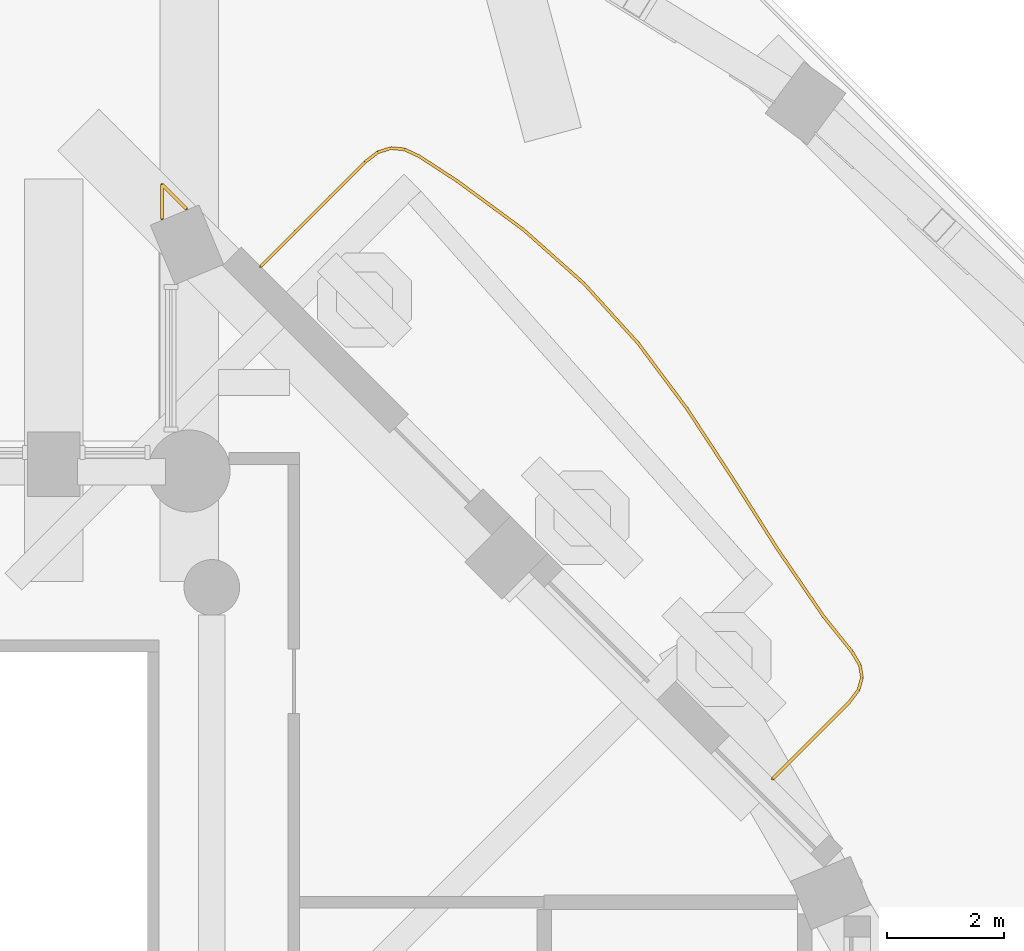
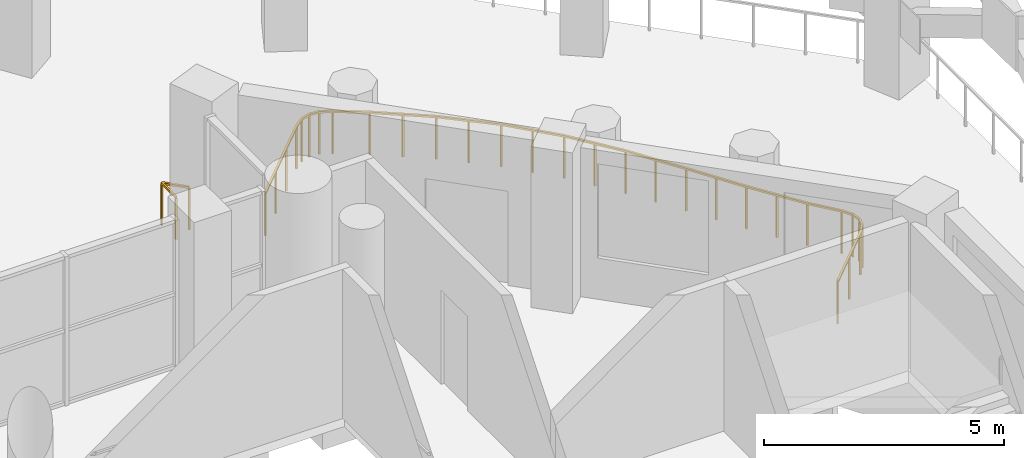
# One storey, part 17 of 18: 2 railings.
"""IFC4 building model written with IfcOpenShell, lengths in metres."""

from ifc_helpers import new_model, si_unit, direction, frame, origin, origin_2d, place, context, subcontext, project, spatial, rectangle, extrude, material, type_object, element, save


model = new_model("IFC4")

# Units and contexts
model_context = context("Model", 3, precision=1e-05, world=origin(), true_north=direction((0.0, 1.0)))
body_context = subcontext(model_context, "Body", "Model", "MODEL_VIEW")
ifc_project = project(units=[si_unit("LENGTHUNIT", "METRE"), si_unit("AREAUNIT", "SQUARE_METRE"), si_unit("VOLUMEUNIT", "CUBIC_METRE"), si_unit("PLANEANGLEUNIT", "RADIAN"), si_unit("MASSUNIT", "GRAM", prefix="KILO")], contexts=[model_context])

# Site, building, storey
site_placement = place(None, origin())
site = spatial("IfcSite", under=ifc_project, at=site_placement, CompositionType="ELEMENT")
building_placement = place(site_placement, origin())
building = spatial("IfcBuilding", under=site, at=building_placement, Name="Cypress Arch Tower", CompositionType="ELEMENT")
storey_placement = place(building_placement, frame((0.0, 0.0, 160.5)))
storey = spatial("IfcBuildingStorey", under=building, at=storey_placement, Name="L34", CompositionType="ELEMENT", Elevation=160.5)

# Railings
ifc_material_1 = material(Name="Powder-coated steel posts and rods, 100 mm clear between rods", Category="steel")
railing_type_1 = type_object("IfcRailingType", Name="Balcony guard GR1100", PredefinedType="GUARDRAIL", material=ifc_material_1)
railing_1_placement = place(storey_placement, frame((9.83251953125, 15.479736328125, 0.0)))
element("IfcRailing", 1, at=railing_1_placement, inside=storey, type_object=railing_type_1, Name="Balcony guard L34-B05", PredefinedType="GUARDRAIL", context=body_context, shape_type="SweptSolid", body=[
    extrude(rectangle(XDim=0.050048828125, YDim=0.050048828125, at=origin_2d()), frame((0.0, 0.0, 1.0751953125), z_axis=(0.707106781187, 0.707106781187, 0.0), x_axis=(-0.707106781187, 0.707106781187, 0.0)), (0.0, 0.0, 1.0), 2.5224609375),
    extrude(rectangle(XDim=0.050048828125, YDim=0.050048828125, at=origin_2d()), frame((1.78369140625, 1.78369140625, 1.0751953125), z_axis=(0.795653667895, 0.605751797988, 0.0), x_axis=(-0.605751797988, 0.795653667895, 0.0)), (0.0, 0.0, 1.0), 0.277587890625),
    extrude(rectangle(XDim=0.050048828125, YDim=0.050048828125, at=origin_2d()), frame((2.004638671875, 1.951904296875, 1.0751953125), z_axis=(0.953976637056, 0.299880936292, 0.0), x_axis=(-0.299880936292, 0.953976637056, 0.0)), (0.0, 0.0, 1.0), 0.233642578125),
    extrude(rectangle(XDim=0.050048828125, YDim=0.050048828125, at=origin_2d()), frame((2.2275390625, 2.02197265625, 1.0751953125), z_axis=(0.995372598201, -0.096090534139, 0.0), x_axis=(0.096090534139, 0.995372598201, 0.0)), (0.0, 0.0, 1.0), 0.233642578125),
    extrude(rectangle(XDim=0.050048828125, YDim=0.050048828125, at=origin_2d()), frame((2.460205078125, 1.99951171875, 1.0751953125), z_axis=(0.90405990983, -0.427405755036, 0.0), x_axis=(0.427405755036, 0.90405990983, 0.0)), (0.0, 0.0, 1.0), 0.277587890625),
    extrude(rectangle(XDim=0.050048828125, YDim=0.050048828125, at=origin_2d()), frame((2.711181640625, 1.880859375, 1.0751953125), z_axis=(0.838349959601, -0.545132410737, 0.0), x_axis=(0.545132410737, 0.838349959601, 0.0)), (0.0, 0.0, 1.0), 0.7744140625),
    extrude(rectangle(XDim=0.050048828125, YDim=0.050048828125, at=origin_2d()), frame((3.3603515625, 1.458740234375, 1.0751953125), z_axis=(0.805727011034, -0.592287078781, 0.0), x_axis=(0.592287078781, 0.805727011034, 0.0)), (0.0, 0.0, 1.0), 1.397705078125),
    extrude(rectangle(XDim=0.050048828125, YDim=0.050048828125, at=origin_2d()), frame((4.486572265625, 0.630859375, 1.0751953125), z_axis=(0.747370362059, -0.664407662445, 0.0), x_axis=(0.664407662445, 0.747370362059, 0.0)), (0.0, 0.0, 1.0), 1.383056640625),
    extrude(rectangle(XDim=0.050048828125, YDim=0.050048828125, at=origin_2d()), frame((5.520263671875, -0.2880859375, 1.0751953125), z_axis=(0.671634596258, -0.740882560943, 0.0), x_axis=(0.740882560943, 0.671634596258, 0.0)), (0.0, 0.0, 1.0), 1.382080078125),
    extrude(rectangle(XDim=0.050048828125, YDim=0.050048828125, at=origin_2d()), frame((6.448486328125, -1.31201171875, 1.0751953125), z_axis=(0.598179954838, -0.801361804449, 0.0), x_axis=(0.801361804449, 0.598179954838, 0.0)), (0.0, 0.0, 1.0), 1.396240234375),
    extrude(rectangle(XDim=0.050048828125, YDim=0.050048828125, at=origin_2d()), frame((7.28369140625, -2.430908203125, 1.0751953125), z_axis=(0.548026257311, -0.83646112958, 0.0), x_axis=(0.83646112958, 0.548026257311, 0.0)), (0.0, 0.0, 1.0), 1.41357421875),
    extrude(rectangle(XDim=0.050048828125, YDim=0.050048828125, at=origin_2d()), frame((8.058349609375, -3.61328125, 1.0751953125), z_axis=(0.535796160399, -0.844347366018, 0.0), x_axis=(0.844347366018, 0.535796160399, 0.0)), (0.0, 0.0, 1.0), 1.42041015625),
    extrude(rectangle(XDim=0.050048828125, YDim=0.050048828125, at=origin_2d()), frame((8.8193359375, -4.8125, 1.0751953125), z_axis=(0.564590982471, -0.825370839388, 0.0), x_axis=(0.825370839388, 0.564590982471, 0.0)), (0.0, 0.0, 1.0), 1.41259765625),
    extrude(rectangle(XDim=0.050048828125, YDim=0.050048828125, at=origin_2d()), frame((9.616943359375, -5.978515625, 1.0751953125), z_axis=(0.626872389465, -0.779121946377, 0.0), x_axis=(0.779121946377, 0.626872389465, 0.0)), (0.0, 0.0, 1.0), 0.764892578125),
    extrude(rectangle(XDim=0.050048828125, YDim=0.050048828125, at=origin_2d()), frame((10.096435546875, -6.574462890625, 1.0751953125), z_axis=(0.512890066981, -0.858454296507, 0.0), x_axis=(0.858454296507, 0.512890066981, 0.0)), (0.0, 0.0, 1.0), 0.2685546875),
    extrude(rectangle(XDim=0.050048828125, YDim=0.050048828125, at=origin_2d()), frame((10.234130859375, -6.804931640625, 1.0751953125), z_axis=(0.165304530861, -0.986242572635, 0.0), x_axis=(0.986242572635, 0.165304530861, 0.0)), (0.0, 0.0, 1.0), 0.218505859375),
    extrude(rectangle(XDim=0.050048828125, YDim=0.050048828125, at=origin_2d()), frame((10.270263671875, -7.0205078125, 1.0751953125), z_axis=(-0.271327560744, -0.962487067332, 0.0), x_axis=(0.962487067332, -0.271327560744, 0.0)), (0.0, 0.0, 1.0), 0.21875),
    extrude(rectangle(XDim=0.050048828125, YDim=0.050048828125, at=origin_2d()), frame((10.2109375, -7.23095703125, 1.0751953125), z_axis=(-0.602035152591, -0.798469583043, 0.0), x_axis=(0.798469583043, -0.602035152591, 0.0)), (0.0, 0.0, 1.0), 0.2685546875),
    extrude(rectangle(XDim=0.050048828125, YDim=0.050048828125, at=origin_2d()), frame((10.04931640625, -7.4453125, 1.0751953125), z_axis=(-0.707106781187, -0.707106781187, 0.0), x_axis=(0.707106781187, -0.707106781187, 0.0)), (0.0, 0.0, 1.0), 1.84130859375),
    extrude(rectangle(XDim=0.0400390625, YDim=0.0400390625, at=origin_2d()), origin(), (0.0, 0.0, 1.0), 1.050048828125),
    extrude(rectangle(XDim=0.0400390625, YDim=0.0400390625, at=origin_2d()), frame((0.594482421875, 0.594482421875, 0.0)), (0.0, 0.0, 1.0), 1.050048828125),
    extrude(rectangle(XDim=0.0400390625, YDim=0.0400390625, at=origin_2d()), frame((1.189208984375, 1.189208984375, 0.0)), (0.0, 0.0, 1.0), 1.050048828125),
    extrude(rectangle(XDim=0.0400390625, YDim=0.0400390625, at=origin_2d()), frame((1.78369140625, 1.78369140625, 0.0)), (0.0, 0.0, 1.0), 1.050048828125),
    extrude(rectangle(XDim=0.0400390625, YDim=0.0400390625, at=origin_2d()), frame((2.004638671875, 1.951904296875, 0.0)), (0.0, 0.0, 1.0), 1.050048828125),
    extrude(rectangle(XDim=0.0400390625, YDim=0.0400390625, at=origin_2d()), frame((2.2275390625, 2.02197265625, 0.0)), (0.0, 0.0, 1.0), 1.050048828125),
    extrude(rectangle(XDim=0.0400390625, YDim=0.0400390625, at=origin_2d()), frame((2.460205078125, 1.99951171875, 0.0)), (0.0, 0.0, 1.0), 1.050048828125),
    extrude(rectangle(XDim=0.0400390625, YDim=0.0400390625, at=origin_2d()), frame((2.711181640625, 1.880859375, 0.0)), (0.0, 0.0, 1.0), 1.050048828125),
    extrude(rectangle(XDim=0.0400390625, YDim=0.0400390625, at=origin_2d()), frame((3.3603515625, 1.458740234375, 0.0)), (0.0, 0.0, 1.0), 1.050048828125),
    extrude(rectangle(XDim=0.0400390625, YDim=0.0400390625, at=origin_2d()), frame((3.92333984375, 1.044921875, 0.0)), (0.0, 0.0, 1.0), 1.050048828125),
    extrude(rectangle(XDim=0.0400390625, YDim=0.0400390625, at=origin_2d()), frame((4.486572265625, 0.630859375, 0.0)), (0.0, 0.0, 1.0), 1.050048828125),
    extrude(rectangle(XDim=0.0400390625, YDim=0.0400390625, at=origin_2d()), frame((5.00341796875, 0.17138671875, 0.0)), (0.0, 0.0, 1.0), 1.050048828125),
    extrude(rectangle(XDim=0.0400390625, YDim=0.0400390625, at=origin_2d()), frame((5.520263671875, -0.2880859375, 0.0)), (0.0, 0.0, 1.0), 1.050048828125),
    extrude(rectangle(XDim=0.0400390625, YDim=0.0400390625, at=origin_2d()), frame((5.984375, -0.800048828125, 0.0)), (0.0, 0.0, 1.0), 1.050048828125),
    extrude(rectangle(XDim=0.0400390625, YDim=0.0400390625, at=origin_2d()), frame((6.448486328125, -1.31201171875, 0.0)), (0.0, 0.0, 1.0), 1.050048828125),
    extrude(rectangle(XDim=0.0400390625, YDim=0.0400390625, at=origin_2d()), frame((6.8662109375, -1.87158203125, 0.0)), (0.0, 0.0, 1.0), 1.050048828125),
    extrude(rectangle(XDim=0.0400390625, YDim=0.0400390625, at=origin_2d()), frame((7.28369140625, -2.430908203125, 0.0)), (0.0, 0.0, 1.0), 1.050048828125),
    extrude(rectangle(XDim=0.0400390625, YDim=0.0400390625, at=origin_2d()), frame((7.6708984375, -3.02197265625, 0.0)), (0.0, 0.0, 1.0), 1.050048828125),
    extrude(rectangle(XDim=0.0400390625, YDim=0.0400390625, at=origin_2d()), frame((8.058349609375, -3.61328125, 0.0)), (0.0, 0.0, 1.0), 1.050048828125),
    extrude(rectangle(XDim=0.0400390625, YDim=0.0400390625, at=origin_2d()), frame((8.43896484375, -4.212890625, 0.0)), (0.0, 0.0, 1.0), 1.050048828125),
    extrude(rectangle(XDim=0.0400390625, YDim=0.0400390625, at=origin_2d()), frame((8.8193359375, -4.8125, 0.0)), (0.0, 0.0, 1.0), 1.050048828125),
    extrude(rectangle(XDim=0.0400390625, YDim=0.0400390625, at=origin_2d()), frame((9.21826171875, -5.3955078125, 0.0)), (0.0, 0.0, 1.0), 1.050048828125),
    extrude(rectangle(XDim=0.0400390625, YDim=0.0400390625, at=origin_2d()), frame((9.616943359375, -5.978515625, 0.0)), (0.0, 0.0, 1.0), 1.050048828125),
    extrude(rectangle(XDim=0.0400390625, YDim=0.0400390625, at=origin_2d()), frame((10.096435546875, -6.574462890625, 0.0)), (0.0, 0.0, 1.0), 1.050048828125),
    extrude(rectangle(XDim=0.0400390625, YDim=0.0400390625, at=origin_2d()), frame((10.234130859375, -6.804931640625, 0.0)), (0.0, 0.0, 1.0), 1.050048828125),
    extrude(rectangle(XDim=0.0400390625, YDim=0.0400390625, at=origin_2d()), frame((10.270263671875, -7.0205078125, 0.0)), (0.0, 0.0, 1.0), 1.050048828125),
    extrude(rectangle(XDim=0.0400390625, YDim=0.0400390625, at=origin_2d()), frame((10.2109375, -7.23095703125, 0.0)), (0.0, 0.0, 1.0), 1.050048828125),
    extrude(rectangle(XDim=0.0400390625, YDim=0.0400390625, at=origin_2d()), frame((10.04931640625, -7.4453125, 0.0)), (0.0, 0.0, 1.0), 1.050048828125),
    extrude(rectangle(XDim=0.0400390625, YDim=0.0400390625, at=origin_2d()), frame((9.3984375, -8.09619140625, 0.0)), (0.0, 0.0, 1.0), 1.050048828125),
    extrude(rectangle(XDim=0.0400390625, YDim=0.0400390625, at=origin_2d()), frame((8.747314453125, -8.747314453125, 0.0)), (0.0, 0.0, 1.0), 1.050048828125),
])
ifc_material_2 = material(Name="Powder-coated steel posts and rods, 100 mm clear between rods", Category="steel")
railing_type_2 = type_object("IfcRailingType", Name="Corner guard GR1100C", PredefinedType="GUARDRAIL", material=ifc_material_2)
railing_2_placement = place(storey_placement, frame((8.14990234375, 16.290771484375, 0.0)))
element("IfcRailing", 2, at=railing_2_placement, inside=storey, type_object=railing_type_2, Name="Corner guard L34 7", PredefinedType="GUARDRAIL", context=body_context, shape_type="SweptSolid", body=[
    extrude(rectangle(XDim=0.050048828125, YDim=0.050048828125, at=origin_2d()), frame((0.0, 0.0, 1.0751953125), z_axis=(0.0, 1.0, 0.0), x_axis=(-1.0, 0.0, 0.0)), (0.0, 0.0, 1.0), 0.588623046875),
    extrude(rectangle(XDim=0.050048828125, YDim=0.050048828125, at=origin_2d()), frame((0.0, 0.588623046875, 1.0751953125), z_axis=(0.707106781187, -0.707106781187, 0.0), x_axis=(0.707106781187, 0.707106781187, 0.0)), (0.0, 0.0, 1.0), 0.588623046875),
    extrude(rectangle(XDim=0.0400390625, YDim=0.0400390625, at=origin_2d()), origin(), (0.0, 0.0, 1.0), 1.050048828125),
    extrude(rectangle(XDim=0.0400390625, YDim=0.0400390625, at=origin_2d()), frame((0.0, 0.588623046875, 0.0)), (0.0, 0.0, 1.0), 1.050048828125),
    extrude(rectangle(XDim=0.0400390625, YDim=0.0400390625, at=origin_2d()), frame((0.416259765625, 0.17236328125, 0.0)), (0.0, 0.0, 1.0), 1.050048828125),
])

save(model, "model.ifc")
